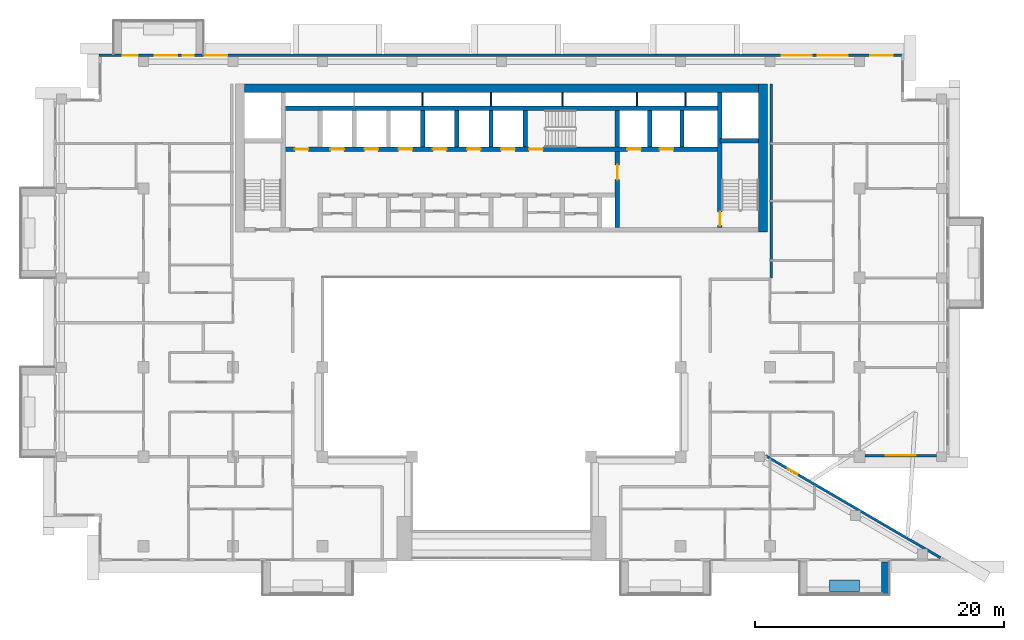
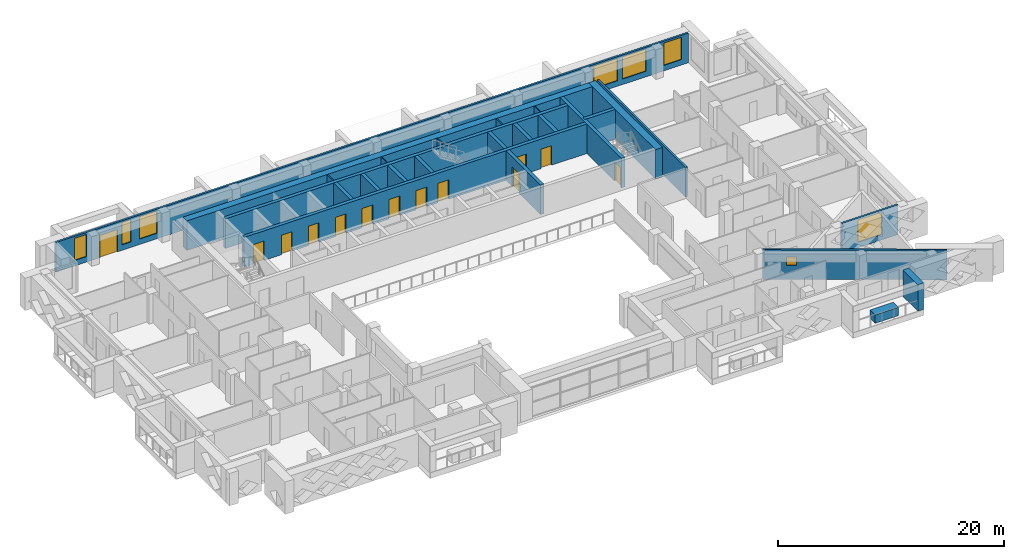
# One storey, part 11 of 20: 25 walls, 13 doors, 8 windows, 21 openings.
"""IFC4 building model written with IfcOpenShell, lengths in metres."""

from ifc_helpers import new_model, si_unit, direction, frame, frame_2d, origin, place, context, subcontext, project, spatial, rectangle, extrude, material, layer, layer_set, type_object, element, fill, save


model = new_model("IFC4")

# Units and contexts
model_context = context("Model", 3, precision=1e-05, world=origin(), true_north=direction((0.0, 1.0)))
body_context = subcontext(model_context, "Body", "Model", "MODEL_VIEW")
ifc_project = project(units=[si_unit("LENGTHUNIT", "METRE"), si_unit("AREAUNIT", "SQUARE_METRE"), si_unit("VOLUMEUNIT", "CUBIC_METRE"), si_unit("PLANEANGLEUNIT", "RADIAN"), si_unit("MASSUNIT", "GRAM", prefix="KILO")], contexts=[model_context])

# Site, building, storey
site_placement = place(None, origin())
site = spatial("IfcSite", under=ifc_project, at=site_placement, CompositionType="ELEMENT")
building_placement = place(site_placement, origin())
building = spatial("IfcBuilding", under=site, at=building_placement, Name="Saffron Iwan Residences", CompositionType="ELEMENT")
storey_placement = place(building_placement, frame((0.0, 0.0, 174.5)))
storey = spatial("IfcBuildingStorey", under=building, at=storey_placement, Name="L46", CompositionType="ELEMENT", Elevation=174.5)

# Walls
ifc_material_1 = material(Name="Concrete C50/60 white painted", Category="concrete")
ifc_layer_1 = layer(ifc_material_1, 0.60009765625)
ifc_layer_set_1 = layer_set([ifc_layer_1], Name="Concrete C50/60 white painted")
wall_type_1 = type_object("IfcWallType", Name="BALCONY FIN 600", PredefinedType="SOLIDWALL", material=ifc_layer_set_1)
wall_1_placement = place(storey_placement, frame((81.300048828125, 39.550048828125, 0.0), z_axis=(0.0, 0.0, 1.0), x_axis=(0.0, -1.0, 0.0)))
element("IfcWall", 1, at=wall_1_placement, inside=storey, type_object=wall_type_1, Name="Balcony fin L46 11-2b", PredefinedType="SOLIDWALL", context=body_context, shape_type="SweptSolid", body=[
    extrude(rectangle(XDim=2.650146484375, YDim=0.60009765625, at=frame_2d((1.3251953125, 0.0))), origin(), (0.0, 0.0, 1.0), 2.85009765625),
])
ifc_material_2 = material(Name="Concrete C35/45 white painted", Category="concrete")
ifc_layer_2 = layer(ifc_material_2, 0.14990234375)
ifc_layer_set_2 = layer_set([ifc_layer_2], Name="Concrete C35/45 white painted")
wall_type_2 = type_object("IfcWallType", Name="BALCONY PLANTER", PredefinedType="SOLIDWALL", material=ifc_layer_set_2)
wall_2_placement = place(storey_placement, frame((76.800048828125, 37.625, 0.0), z_axis=(0.0, 0.0, 1.0), x_axis=(1.0, 0.0, 0.0)))
element("IfcWall", 2, at=wall_2_placement, inside=storey, type_object=wall_type_2, Name="PLANTER L46 11-2", PredefinedType="SOLIDWALL", context=body_context, shape_type="SweptSolid", body=[
    extrude(rectangle(XDim=2.39990234375, YDim=0.89990234375, at=frame_2d((1.199951171875, 0.0))), origin(), (0.0, 0.0, 1.0), 0.89990234375),
])

# Wall, opening, window
ifc_material_3 = material(Name="Concrete C40/50", Category="concrete")
ifc_layer_3 = layer(ifc_material_3, 0.199951171875)
ifc_layer_set_3 = layer_set([ifc_layer_3], Name="Concrete C40/50")
wall_type_3 = type_object("IfcWallType", Name="EXTERNAL WALL 200", PredefinedType="SOLIDWALL", material=ifc_layer_set_3)
wall_3_placement = place(storey_placement, frame((85.71923828125, 39.88134765625, 0.0), z_axis=(0.0, 0.0, 1.0), x_axis=(-0.86377618652, 0.503875678716, 0.0)))
wall_3 = element("IfcWall", 3, at=wall_3_placement, inside=storey, type_object=wall_type_3, Name="External wall L46 F0.0", PredefinedType="SOLIDWALL", context=body_context, shape_type="SweptSolid", body=[
    extrude(rectangle(XDim=16.31103515625, YDim=0.199951171875, at=frame_2d((8.155517578125, 0.0))), origin(), (0.0, 0.0, 1.0), 3.199951171875),
])
opening_1_placement = place(wall_3_placement, frame((13.32568359375, 0.0, 1.5)))
opening_1 = element("IfcOpeningElement", 4, at=opening_1_placement, cuts=wall_3, Name="Opening W6", PredefinedType="OPENING", context=body_context, shape_type="SweptSolid", body=[
    extrude(rectangle(XDim=0.89990234375, YDim=0.89990234375, at=frame_2d((0.449951171875, 0.449951171875))), frame((0.0, 0.10986328125, 0.0), z_axis=(0.0, -1.0, 0.0), x_axis=(1.0, 0.0, 0.0)), (0.0, 0.0, 1.0), 0.219970703125),
])
ifc_material_4 = material(Name="Clear glass, laminated double glazed", Category="glass")
window_type_1 = type_object("IfcWindowType", Name="WINDOW 900 x 900 BATH", PartitioningType="SINGLE_PANEL", PredefinedType="WINDOW", material=ifc_material_4)
window_1_placement = place(opening_1_placement, origin())
window_1 = element("IfcWindow", 5, at=window_1_placement, inside=storey, type_object=window_type_1, Name="Window L46 F0.0", OverallHeight=0.89990234375, OverallWidth=0.89990234375, PartitioningType="SINGLE_PANEL", PredefinedType="WINDOW", context=body_context, shape_type="SweptSolid", body=[
    extrude(rectangle(XDim=0.89990234375, YDim=0.89990234375, at=frame_2d((0.449951171875, 0.449951171875))), frame((0.0, 0.030029296875, 0.0), z_axis=(0.0, -1.0, 0.0), x_axis=(1.0, 0.0, 0.0)), (0.0, 0.0, 1.0), 0.06005859375),
])
fill(opening_1, window_1)

wall_4_placement = place(storey_placement, frame((79.64990234375, 48.10009765625, 0.0), z_axis=(0.0, 0.0, 1.0), x_axis=(1.0, 0.0, 0.0)))
wall_4 = element("IfcWall", 6, at=wall_4_placement, inside=storey, type_object=wall_type_3, Name="External wall L46 F1.1", PredefinedType="SOLIDWALL", context=body_context, shape_type="SweptSolid", body=[
    extrude(rectangle(XDim=5.75, YDim=0.199951171875, at=frame_2d((2.875, 0.0))), origin(), (0.0, 0.0, 1.0), 3.199951171875),
])
opening_2_placement = place(wall_4_placement, frame((1.675048828125, 0.0, 0.60009765625)))
opening_2 = element("IfcOpeningElement", 7, at=opening_2_placement, cuts=wall_4, Name="Opening W1", PredefinedType="OPENING", context=body_context, shape_type="SweptSolid", body=[
    extrude(rectangle(XDim=2.39990234375, YDim=2.39990234375, at=frame_2d((1.199951171875, 1.199951171875))), frame((0.0, 0.10986328125, 0.0), z_axis=(0.0, -1.0, 0.0), x_axis=(1.0, 0.0, 0.0)), (0.0, 0.0, 1.0), 0.219970703125),
])
window_type_2 = type_object("IfcWindowType", Name="WINDOW 2400 x 2400", PartitioningType="DOUBLE_PANEL_VERTICAL", PredefinedType="WINDOW", material=ifc_material_4)
window_2_placement = place(opening_2_placement, origin())
window_2 = element("IfcWindow", 8, at=window_2_placement, inside=storey, type_object=window_type_2, Name="Window L46 F1.0", OverallHeight=2.39990234375, OverallWidth=2.39990234375, PartitioningType="DOUBLE_PANEL_VERTICAL", PredefinedType="WINDOW", context=body_context, shape_type="SweptSolid", body=[
    extrude(rectangle(XDim=2.39990234375, YDim=2.39990234375, at=frame_2d((1.199951171875, 1.199951171875))), frame((0.0, 0.030029296875, 0.0), z_axis=(0.0, -1.0, 0.0), x_axis=(1.0, 0.0, 0.0)), (0.0, 0.0, 1.0), 0.06005859375),
])
fill(opening_2, window_2)

# Wall, openings, door, windows
wall_5_placement = place(storey_placement, frame((82.60009765625, 80.300048828125, 0.0), z_axis=(0.0, 0.0, 1.0), x_axis=(-1.0, 0.0, 0.0)))
wall_5 = element("IfcWall", 9, at=wall_5_placement, inside=storey, type_object=wall_type_3, Name="External wall L46 F5.0", PredefinedType="SOLIDWALL", context=body_context, shape_type="SweptSolid", body=[
    extrude(rectangle(XDim=64.60009765625, YDim=0.199951171875, at=frame_2d((32.300048828125, 0.0))), origin(), (0.0, 0.0, 1.0), 3.199951171875),
])
opening_3_placement = place(wall_5_placement, frame((58.300048828125, 0.0, 0.0)))
opening_3 = element("IfcOpeningElement", 10, at=opening_3_placement, cuts=wall_5, Name="Opening BD1", PredefinedType="OPENING", context=body_context, shape_type="SweptSolid", body=[
    extrude(rectangle(XDim=1.800048828125, YDim=2.39990234375, at=frame_2d((0.89990234375, 1.199951171875))), frame((0.0, 0.10986328125, 0.0), z_axis=(0.0, -1.0, 0.0), x_axis=(1.0, 0.0, 0.0)), (0.0, 0.0, 1.0), 0.219970703125),
])
opening_4_placement = place(wall_5_placement, frame((54.27490234375, 0.0, 0.60009765625)))
opening_4 = element("IfcOpeningElement", 11, at=opening_4_placement, cuts=wall_5, Name="Opening W8", PredefinedType="OPENING", context=body_context, shape_type="SweptSolid", body=[
    extrude(rectangle(XDim=1.800048828125, YDim=2.39990234375, at=frame_2d((0.89990234375, 1.199951171875))), frame((0.0, 0.10986328125, 0.0), z_axis=(0.0, -1.0, 0.0), x_axis=(1.0, 0.0, 0.0)), (0.0, 0.0, 1.0), 0.219970703125),
])
opening_5_placement = place(wall_5_placement, frame((56.949951171875, 0.0, 0.60009765625)))
opening_5 = element("IfcOpeningElement", 12, at=opening_5_placement, cuts=wall_5, Name="Opening W10", PredefinedType="OPENING", context=body_context, shape_type="SweptSolid", body=[
    extrude(rectangle(XDim=0.89990234375, YDim=2.39990234375, at=frame_2d((0.449951171875, 1.199951171875))), frame((0.0, 0.10986328125, 0.0), z_axis=(0.0, -1.0, 0.0), x_axis=(1.0, 0.0, 0.0)), (0.0, 0.0, 1.0), 0.219970703125),
])
opening_6_placement = place(wall_5_placement, frame((61.47509765625, 0.0, 0.60009765625)))
opening_6 = element("IfcOpeningElement", 13, at=opening_6_placement, cuts=wall_5, Name="Opening W3", PredefinedType="OPENING", context=body_context, shape_type="SweptSolid", body=[
    extrude(rectangle(XDim=1.199951171875, YDim=2.39990234375, at=frame_2d((0.60009765625, 1.199951171875))), frame((0.0, 0.10986328125, 0.0), z_axis=(0.0, -1.0, 0.0), x_axis=(1.0, 0.0, 0.0)), (0.0, 0.0, 1.0), 0.219970703125),
])
opening_7_placement = place(wall_5_placement, frame((0.72509765625, 0.0, 0.60009765625)))
opening_7 = element("IfcOpeningElement", 14, at=opening_7_placement, cuts=wall_5, Name="Opening W8", PredefinedType="OPENING", context=body_context, shape_type="SweptSolid", body=[
    extrude(rectangle(XDim=1.800048828125, YDim=2.39990234375, at=frame_2d((0.89990234375, 1.199951171875))), frame((0.0, 0.10986328125, 0.0), z_axis=(0.0, -1.0, 0.0), x_axis=(1.0, 0.0, 0.0)), (0.0, 0.0, 1.0), 0.219970703125),
])
opening_8_placement = place(wall_5_placement, frame((4.35009765625, 0.0, 0.60009765625)))
opening_8 = element("IfcOpeningElement", 15, at=opening_8_placement, cuts=wall_5, Name="Opening W1", PredefinedType="OPENING", context=body_context, shape_type="SweptSolid", body=[
    extrude(rectangle(XDim=2.39990234375, YDim=2.39990234375, at=frame_2d((1.199951171875, 1.199951171875))), frame((0.0, 0.10986328125, 0.0), z_axis=(0.0, -1.0, 0.0), x_axis=(1.0, 0.0, 0.0)), (0.0, 0.0, 1.0), 0.219970703125),
])
opening_9_placement = place(wall_5_placement, frame((7.25, 0.0, 0.60009765625)))
opening_9 = element("IfcOpeningElement", 16, at=opening_9_placement, cuts=wall_5, Name="Opening W1", PredefinedType="OPENING", context=body_context, shape_type="SweptSolid", body=[
    extrude(rectangle(XDim=2.39990234375, YDim=2.39990234375, at=frame_2d((1.199951171875, 1.199951171875))), frame((0.0, 0.10986328125, 0.0), z_axis=(0.0, -1.0, 0.0), x_axis=(1.0, 0.0, 0.0)), (0.0, 0.0, 1.0), 0.219970703125),
])
door_type_1 = type_object("IfcDoorType", Name="BALCONY DOOR 1800 x 2400", OperationType="DOUBLE_DOOR_SLIDING", PredefinedType="DOOR", material=ifc_material_4)
door_1_placement = place(opening_3_placement, origin())
door_1 = element("IfcDoor", 17, at=door_1_placement, inside=storey, type_object=door_type_1, Name="Balcony door L46 F5.0", OperationType="DOUBLE_DOOR_SLIDING", OverallHeight=2.39990234375, OverallWidth=1.800048828125, PredefinedType="DOOR", context=body_context, shape_type="SweptSolid", body=[
    extrude(rectangle(XDim=1.800048828125, YDim=2.39990234375, at=frame_2d((0.89990234375, 1.199951171875))), frame((0.0, 0.02490234375, 0.0), z_axis=(0.0, -1.0, 0.0), x_axis=(1.0, 0.0, 0.0)), (0.0, 0.0, 1.0), 0.050048828125),
])
fill(opening_3, door_1)
window_type_3 = type_object("IfcWindowType", Name="WINDOW 1200 x 2400", PartitioningType="SINGLE_PANEL", PredefinedType="WINDOW", material=ifc_material_4)
window_3_placement = place(opening_6_placement, origin())
window_3 = element("IfcWindow", 18, at=window_3_placement, inside=storey, type_object=window_type_3, Name="Window L46 F5.3", OverallHeight=2.39990234375, OverallWidth=1.199951171875, PartitioningType="SINGLE_PANEL", PredefinedType="WINDOW", context=body_context, shape_type="SweptSolid", body=[
    extrude(rectangle(XDim=1.199951171875, YDim=2.39990234375, at=frame_2d((0.60009765625, 1.199951171875))), frame((0.0, 0.030029296875, 0.0), z_axis=(0.0, -1.0, 0.0), x_axis=(1.0, 0.0, 0.0)), (0.0, 0.0, 1.0), 0.06005859375),
])
fill(opening_6, window_3)
window_type_4 = type_object("IfcWindowType", Name="WINDOW 1800 x 2400", PartitioningType="DOUBLE_PANEL_VERTICAL", PredefinedType="WINDOW", material=ifc_material_4)
window_4_placement = place(opening_4_placement, origin())
window_4 = element("IfcWindow", 19, at=window_4_placement, inside=storey, type_object=window_type_4, Name="Window L46 F5.1", OverallHeight=2.39990234375, OverallWidth=1.800048828125, PartitioningType="DOUBLE_PANEL_VERTICAL", PredefinedType="WINDOW", context=body_context, shape_type="SweptSolid", body=[
    extrude(rectangle(XDim=1.800048828125, YDim=2.39990234375, at=frame_2d((0.89990234375, 1.199951171875))), frame((0.0, 0.030029296875, 0.0), z_axis=(0.0, -1.0, 0.0), x_axis=(1.0, 0.0, 0.0)), (0.0, 0.0, 1.0), 0.06005859375),
])
fill(opening_4, window_4)
window_5_placement = place(opening_7_placement, origin())
window_5 = element("IfcWindow", 20, at=window_5_placement, inside=storey, type_object=window_type_4, Name="Window L46 F5.4", OverallHeight=2.39990234375, OverallWidth=1.800048828125, PartitioningType="DOUBLE_PANEL_VERTICAL", PredefinedType="WINDOW", context=body_context, shape_type="SweptSolid", body=[
    extrude(rectangle(XDim=1.800048828125, YDim=2.39990234375, at=frame_2d((0.89990234375, 1.199951171875))), frame((0.0, 0.030029296875, 0.0), z_axis=(0.0, -1.0, 0.0), x_axis=(1.0, 0.0, 0.0)), (0.0, 0.0, 1.0), 0.06005859375),
])
fill(opening_7, window_5)
window_6_placement = place(opening_8_placement, origin())
window_6 = element("IfcWindow", 21, at=window_6_placement, inside=storey, type_object=window_type_2, Name="Window L46 F5.5", OverallHeight=2.39990234375, OverallWidth=2.39990234375, PartitioningType="DOUBLE_PANEL_VERTICAL", PredefinedType="WINDOW", context=body_context, shape_type="SweptSolid", body=[
    extrude(rectangle(XDim=2.39990234375, YDim=2.39990234375, at=frame_2d((1.199951171875, 1.199951171875))), frame((0.0, 0.030029296875, 0.0), z_axis=(0.0, -1.0, 0.0), x_axis=(1.0, 0.0, 0.0)), (0.0, 0.0, 1.0), 0.06005859375),
])
fill(opening_8, window_6)
window_7_placement = place(opening_9_placement, origin())
window_7 = element("IfcWindow", 22, at=window_7_placement, inside=storey, type_object=window_type_2, Name="Window L46 F5.6", OverallHeight=2.39990234375, OverallWidth=2.39990234375, PartitioningType="DOUBLE_PANEL_VERTICAL", PredefinedType="WINDOW", context=body_context, shape_type="SweptSolid", body=[
    extrude(rectangle(XDim=2.39990234375, YDim=2.39990234375, at=frame_2d((1.199951171875, 1.199951171875))), frame((0.0, 0.030029296875, 0.0), z_axis=(0.0, -1.0, 0.0), x_axis=(1.0, 0.0, 0.0)), (0.0, 0.0, 1.0), 0.06005859375),
])
fill(opening_9, window_7)
window_type_5 = type_object("IfcWindowType", Name="WINDOW 900 x 2400", PartitioningType="SINGLE_PANEL", PredefinedType="WINDOW", material=ifc_material_4)
window_8_placement = place(opening_5_placement, origin())
window_8 = element("IfcWindow", 23, at=window_8_placement, inside=storey, type_object=window_type_5, Name="Window L46 F5.2", OverallHeight=2.39990234375, OverallWidth=0.89990234375, PartitioningType="SINGLE_PANEL", PredefinedType="WINDOW", context=body_context, shape_type="SweptSolid", body=[
    extrude(rectangle(XDim=0.89990234375, YDim=2.39990234375, at=frame_2d((0.449951171875, 1.199951171875))), frame((0.0, 0.030029296875, 0.0), z_axis=(0.0, -1.0, 0.0), x_axis=(1.0, 0.0, 0.0)), (0.0, 0.0, 1.0), 0.06005859375),
])
fill(opening_5, window_8)

# Walls
ifc_material_5 = material(Name="Fire-rated gypsum board wall")
ifc_layer_4 = layer(ifc_material_5, 0.199951171875)
ifc_layer_set_4 = layer_set([ifc_layer_4], Name="Fire-rated gypsum board wall")
wall_type_4 = type_object("IfcWallType", Name="Gallery wall 200", PredefinedType="SOLIDWALL", material=ifc_layer_set_4)
wall_6_placement = place(storey_placement, frame((72.10009765625, 62.39990234375, 0.0), z_axis=(0.0, 0.0, 1.0), x_axis=(0.0, 1.0, 0.0)))
element("IfcWall", 24, at=wall_6_placement, inside=storey, type_object=wall_type_4, Name="W-L46-CORR-v72-62.4", PredefinedType="SOLIDWALL", context=body_context, shape_type="SweptSolid", body=[
    extrude(rectangle(XDim=15.60009765625, YDim=0.199951171875, at=frame_2d((7.800048828125, 0.0))), origin(), (0.0, 0.0, 1.0), 3.199951171875),
])
ifc_material_6 = material(Name="Fire-rated plasterboard partition")
ifc_layer_5 = layer(ifc_material_6, 0.10009765625)
ifc_layer_set_5 = layer_set([ifc_layer_5], Name="Fire-rated plasterboard partition")
wall_type_5 = type_object("IfcWallType", Name="Riser partition 100", PredefinedType="PARTITIONING", material=ifc_layer_set_5)
for number, where, z_axis, x_axis, name in (
    (25, (44.050048828125, 76.22509765625, 0.0), (0.0, 0.0, 1.0), (0.0, 1.0, 0.0), "Core partition P08"),
    (26, (49.550048828125, 76.22509765625, 0.0), (0.0, 0.0, 1.0), (0.0, 1.0, 0.0), "Core partition P09"),
    (27, (55.300048828125, 76.22509765625, 0.0), (0.0, 0.0, 1.0), (0.0, 1.0, 0.0), "Core partition P10"),
    (28, (61.300048828125, 76.22509765625, 0.0), (0.0, 0.0, 1.0), (0.0, 1.0, 0.0), "Core partition P11"),
    (29, (65.199951171875, 76.22509765625, 0.0), (0.0, 0.0, 1.0), (0.0, 1.0, 0.0), "Core partition P12"),
):
    element("IfcWall", number, at=place(storey_placement, frame(where, z_axis=z_axis, x_axis=x_axis)), inside=storey, type_object=wall_type_5, Name=name, PredefinedType="PARTITIONING", context=body_context, shape_type="SweptSolid", body=[
        extrude(rectangle(XDim=1.074951171875, YDim=0.10009765625, at=frame_2d((0.53759765625, 0.0))), origin(), (0.0, 0.0, 1.0), 3.199951171875),
    ])

# Wall, openings, doors
ifc_material_7 = material(Name="Concrete C50/60", Category="concrete")
ifc_layer_6 = layer(ifc_material_7, 0.35009765625)
ifc_layer_set_6 = layer_set([ifc_layer_6], Name="Concrete C50/60")
wall_type_6 = type_object("IfcWallType", Name="WALL CORE 350 C50/60 3200 HIGH", PredefinedType="SHEAR", material=ifc_layer_set_6)
wall_7_placement = place(storey_placement, frame((32.824951171875, 72.75, 0.0), z_axis=(0.0, 0.0, 1.0), x_axis=(1.0, 0.0, 0.0)))
wall_7 = element("IfcWall", 30, at=wall_7_placement, inside=storey, type_object=wall_type_6, Name="Core wall", PredefinedType="SHEAR", context=body_context, shape_type="SweptSolid", body=[
    extrude(rectangle(XDim=35.150146484375, YDim=0.35009765625, at=frame_2d((17.5751953125, 0.0))), origin(), (0.0, 0.0, 1.0), 3.199951171875),
])
opening_10_placement = place(wall_7_placement, frame((19.800048828125, 0.0, 0.0)))
opening_10 = element("IfcOpeningElement", 31, at=opening_10_placement, cuts=wall_7, Name="Opening SD", PredefinedType="OPENING", context=body_context, shape_type="SweptSolid", body=[
    extrude(rectangle(XDim=1.10009765625, YDim=2.10009765625, at=frame_2d((0.550048828125, 1.050048828125))), frame((0.0, 0.18505859375, 0.0), z_axis=(0.0, -1.0, 0.0), x_axis=(1.0, 0.0, 0.0)), (0.0, 0.0, 1.0), 0.3701171875),
])
opening_11_placement = place(wall_7_placement, frame((27.699951171875, 0.0, 0.0)))
opening_11 = element("IfcOpeningElement", 32, at=opening_11_placement, cuts=wall_7, Name="Opening LD", PredefinedType="OPENING", context=body_context, shape_type="SweptSolid", body=[
    extrude(rectangle(XDim=1.10009765625, YDim=2.10009765625, at=frame_2d((0.550048828125, 1.050048828125))), frame((0.0, 0.18505859375, 0.0), z_axis=(0.0, -1.0, 0.0), x_axis=(1.0, 0.0, 0.0)), (0.0, 0.0, 1.0), 0.3701171875),
])
opening_12_placement = place(wall_7_placement, frame((30.300048828125, 0.0, 0.0)))
opening_12 = element("IfcOpeningElement", 33, at=opening_12_placement, cuts=wall_7, Name="Opening LD", PredefinedType="OPENING", context=body_context, shape_type="SweptSolid", body=[
    extrude(rectangle(XDim=1.10009765625, YDim=2.10009765625, at=frame_2d((0.550048828125, 1.050048828125))), frame((0.0, 0.18505859375, 0.0), z_axis=(0.0, -1.0, 0.0), x_axis=(1.0, 0.0, 0.0)), (0.0, 0.0, 1.0), 0.3701171875),
])
opening_13_placement = place(wall_7_placement, frame((3.800048828125, 0.0, 0.0)))
opening_13 = element("IfcOpeningElement", 34, at=opening_13_placement, cuts=wall_7, Name="Opening LD", PredefinedType="OPENING", context=body_context, shape_type="SweptSolid", body=[
    extrude(rectangle(XDim=1.10009765625, YDim=2.10009765625, at=frame_2d((0.550048828125, 1.050048828125))), frame((0.0, 0.18505859375, 0.0), z_axis=(0.0, -1.0, 0.0), x_axis=(1.0, 0.0, 0.0)), (0.0, 0.0, 1.0), 0.3701171875),
])
opening_14_placement = place(wall_7_placement, frame((6.550048828125, 0.0, 0.0)))
opening_14 = element("IfcOpeningElement", 35, at=opening_14_placement, cuts=wall_7, Name="Opening LD", PredefinedType="OPENING", context=body_context, shape_type="SweptSolid", body=[
    extrude(rectangle(XDim=1.10009765625, YDim=2.10009765625, at=frame_2d((0.550048828125, 1.050048828125))), frame((0.0, 0.18505859375, 0.0), z_axis=(0.0, -1.0, 0.0), x_axis=(1.0, 0.0, 0.0)), (0.0, 0.0, 1.0), 0.3701171875),
])
opening_15_placement = place(wall_7_placement, frame((9.300048828125, 0.0, 0.0)))
opening_15 = element("IfcOpeningElement", 36, at=opening_15_placement, cuts=wall_7, Name="Opening LD", PredefinedType="OPENING", context=body_context, shape_type="SweptSolid", body=[
    extrude(rectangle(XDim=1.10009765625, YDim=2.10009765625, at=frame_2d((0.550048828125, 1.050048828125))), frame((0.0, 0.18505859375, 0.0), z_axis=(0.0, -1.0, 0.0), x_axis=(1.0, 0.0, 0.0)), (0.0, 0.0, 1.0), 0.3701171875),
])
opening_16_placement = place(wall_7_placement, frame((12.050048828125, 0.0, 0.0)))
opening_16 = element("IfcOpeningElement", 37, at=opening_16_placement, cuts=wall_7, Name="Opening LD", PredefinedType="OPENING", context=body_context, shape_type="SweptSolid", body=[
    extrude(rectangle(XDim=1.10009765625, YDim=2.10009765625, at=frame_2d((0.550048828125, 1.050048828125))), frame((0.0, 0.18505859375, 0.0), z_axis=(0.0, -1.0, 0.0), x_axis=(1.0, 0.0, 0.0)), (0.0, 0.0, 1.0), 0.3701171875),
])
opening_17_placement = place(wall_7_placement, frame((14.800048828125, 0.0, 0.0)))
opening_17 = element("IfcOpeningElement", 38, at=opening_17_placement, cuts=wall_7, Name="Opening LD", PredefinedType="OPENING", context=body_context, shape_type="SweptSolid", body=[
    extrude(rectangle(XDim=1.10009765625, YDim=2.10009765625, at=frame_2d((0.550048828125, 1.050048828125))), frame((0.0, 0.18505859375, 0.0), z_axis=(0.0, -1.0, 0.0), x_axis=(1.0, 0.0, 0.0)), (0.0, 0.0, 1.0), 0.3701171875),
])
opening_18_placement = place(wall_7_placement, frame((17.550048828125, 0.0, 0.0)))
opening_18 = element("IfcOpeningElement", 39, at=opening_18_placement, cuts=wall_7, Name="Opening LD", PredefinedType="OPENING", context=body_context, shape_type="SweptSolid", body=[
    extrude(rectangle(XDim=1.10009765625, YDim=2.10009765625, at=frame_2d((0.550048828125, 1.050048828125))), frame((0.0, 0.18505859375, 0.0), z_axis=(0.0, -1.0, 0.0), x_axis=(1.0, 0.0, 0.0)), (0.0, 0.0, 1.0), 0.3701171875),
])
opening_19_placement = place(wall_7_placement, frame((0.9375, 0.0, 0.0)))
opening_19 = element("IfcOpeningElement", 40, at=opening_19_placement, cuts=wall_7, Name="Opening SR", PredefinedType="OPENING", context=body_context, shape_type="SweptSolid", body=[
    extrude(rectangle(XDim=1.10009765625, YDim=2.10009765625, at=frame_2d((0.550048828125, 1.050048828125))), frame((0.0, 0.18505859375, 0.0), z_axis=(0.0, -1.0, 0.0), x_axis=(1.0, 0.0, 0.0)), (0.0, 0.0, 1.0), 0.3701171875),
])
ifc_material_8 = material(Name="Steel fire door", Category="steel")
door_type_2 = type_object("IfcDoorType", Name="Lift landing door 1100", OperationType="SLIDING_TO_LEFT", PredefinedType="DOOR", material=ifc_material_8)
door_2_placement = place(opening_11_placement, origin())
door_2 = element("IfcDoor", 41, at=door_2_placement, inside=storey, type_object=door_type_2, Name="Landing doors FF1", OperationType="SLIDING_TO_LEFT", OverallHeight=2.10009765625, OverallWidth=1.10009765625, PredefinedType="DOOR", context=body_context, shape_type="SweptSolid", body=[
    extrude(rectangle(XDim=1.10009765625, YDim=2.10009765625, at=frame_2d((0.550048828125, 1.050048828125))), frame((0.0, 0.02490234375, 0.0), z_axis=(0.0, -1.0, 0.0), x_axis=(1.0, 0.0, 0.0)), (0.0, 0.0, 1.0), 0.050048828125),
])
fill(opening_11, door_2)
door_3_placement = place(opening_12_placement, origin())
door_3 = element("IfcDoor", 42, at=door_3_placement, inside=storey, type_object=door_type_2, Name="Landing doors FF2", OperationType="SLIDING_TO_LEFT", OverallHeight=2.10009765625, OverallWidth=1.10009765625, PredefinedType="DOOR", context=body_context, shape_type="SweptSolid", body=[
    extrude(rectangle(XDim=1.10009765625, YDim=2.10009765625, at=frame_2d((0.550048828125, 1.050048828125))), frame((0.0, 0.02490234375, 0.0), z_axis=(0.0, -1.0, 0.0), x_axis=(1.0, 0.0, 0.0)), (0.0, 0.0, 1.0), 0.050048828125),
])
fill(opening_12, door_3)
door_4_placement = place(opening_13_placement, origin())
door_4 = element("IfcDoor", 43, at=door_4_placement, inside=storey, type_object=door_type_2, Name="Landing doors HR1", OperationType="SLIDING_TO_LEFT", OverallHeight=2.10009765625, OverallWidth=1.10009765625, PredefinedType="DOOR", context=body_context, shape_type="SweptSolid", body=[
    extrude(rectangle(XDim=1.10009765625, YDim=2.10009765625, at=frame_2d((0.550048828125, 1.050048828125))), frame((0.0, 0.02490234375, 0.0), z_axis=(0.0, -1.0, 0.0), x_axis=(1.0, 0.0, 0.0)), (0.0, 0.0, 1.0), 0.050048828125),
])
fill(opening_13, door_4)
door_5_placement = place(opening_14_placement, origin())
door_5 = element("IfcDoor", 44, at=door_5_placement, inside=storey, type_object=door_type_2, Name="Landing doors HR2", OperationType="SLIDING_TO_LEFT", OverallHeight=2.10009765625, OverallWidth=1.10009765625, PredefinedType="DOOR", context=body_context, shape_type="SweptSolid", body=[
    extrude(rectangle(XDim=1.10009765625, YDim=2.10009765625, at=frame_2d((0.550048828125, 1.050048828125))), frame((0.0, 0.02490234375, 0.0), z_axis=(0.0, -1.0, 0.0), x_axis=(1.0, 0.0, 0.0)), (0.0, 0.0, 1.0), 0.050048828125),
])
fill(opening_14, door_5)
door_6_placement = place(opening_15_placement, origin())
door_6 = element("IfcDoor", 45, at=door_6_placement, inside=storey, type_object=door_type_2, Name="Landing doors HR3", OperationType="SLIDING_TO_LEFT", OverallHeight=2.10009765625, OverallWidth=1.10009765625, PredefinedType="DOOR", context=body_context, shape_type="SweptSolid", body=[
    extrude(rectangle(XDim=1.10009765625, YDim=2.10009765625, at=frame_2d((0.550048828125, 1.050048828125))), frame((0.0, 0.02490234375, 0.0), z_axis=(0.0, -1.0, 0.0), x_axis=(1.0, 0.0, 0.0)), (0.0, 0.0, 1.0), 0.050048828125),
])
fill(opening_15, door_6)
door_7_placement = place(opening_16_placement, origin())
door_7 = element("IfcDoor", 46, at=door_7_placement, inside=storey, type_object=door_type_2, Name="Landing doors HR4", OperationType="SLIDING_TO_LEFT", OverallHeight=2.10009765625, OverallWidth=1.10009765625, PredefinedType="DOOR", context=body_context, shape_type="SweptSolid", body=[
    extrude(rectangle(XDim=1.10009765625, YDim=2.10009765625, at=frame_2d((0.550048828125, 1.050048828125))), frame((0.0, 0.02490234375, 0.0), z_axis=(0.0, -1.0, 0.0), x_axis=(1.0, 0.0, 0.0)), (0.0, 0.0, 1.0), 0.050048828125),
])
fill(opening_16, door_7)
door_8_placement = place(opening_17_placement, origin())
door_8 = element("IfcDoor", 47, at=door_8_placement, inside=storey, type_object=door_type_2, Name="Landing doors HR5", OperationType="SLIDING_TO_LEFT", OverallHeight=2.10009765625, OverallWidth=1.10009765625, PredefinedType="DOOR", context=body_context, shape_type="SweptSolid", body=[
    extrude(rectangle(XDim=1.10009765625, YDim=2.10009765625, at=frame_2d((0.550048828125, 1.050048828125))), frame((0.0, 0.02490234375, 0.0), z_axis=(0.0, -1.0, 0.0), x_axis=(1.0, 0.0, 0.0)), (0.0, 0.0, 1.0), 0.050048828125),
])
fill(opening_17, door_8)
door_9_placement = place(opening_18_placement, origin())
door_9 = element("IfcDoor", 48, at=door_9_placement, inside=storey, type_object=door_type_2, Name="Landing doors HR6", OperationType="SLIDING_TO_LEFT", OverallHeight=2.10009765625, OverallWidth=1.10009765625, PredefinedType="DOOR", context=body_context, shape_type="SweptSolid", body=[
    extrude(rectangle(XDim=1.10009765625, YDim=2.10009765625, at=frame_2d((0.550048828125, 1.050048828125))), frame((0.0, 0.02490234375, 0.0), z_axis=(0.0, -1.0, 0.0), x_axis=(1.0, 0.0, 0.0)), (0.0, 0.0, 1.0), 0.050048828125),
])
fill(opening_18, door_9)
door_type_3 = type_object("IfcDoorType", Name="Service door 1100", OperationType="NOTDEFINED", PredefinedType="DOOR", material=ifc_material_8)
door_10_placement = place(opening_19_placement, origin())
door_10 = element("IfcDoor", 49, at=door_10_placement, inside=storey, type_object=door_type_3, Name="Door Storage room", OperationType="SINGLE_SWING_LEFT", OverallHeight=2.10009765625, OverallWidth=1.10009765625, PredefinedType="DOOR", context=body_context, shape_type="SweptSolid", body=[
    extrude(rectangle(XDim=1.10009765625, YDim=2.10009765625, at=frame_2d((0.550048828125, 1.050048828125))), frame((0.0, 0.02490234375, 0.0), z_axis=(0.0, -1.0, 0.0), x_axis=(1.0, 0.0, 0.0)), (0.0, 0.0, 1.0), 0.050048828125),
])
fill(opening_19, door_10)
door_type_4 = type_object("IfcDoorType", Name="Stair door 1100", OperationType="NOTDEFINED", PredefinedType="DOOR", material=ifc_material_8)
door_11_placement = place(opening_10_placement, origin())
door_11 = element("IfcDoor", 50, at=door_11_placement, inside=storey, type_object=door_type_4, Name="Stair door ST-C", OperationType="SINGLE_SWING_LEFT", OverallHeight=2.10009765625, OverallWidth=1.10009765625, PredefinedType="DOOR", context=body_context, shape_type="SweptSolid", body=[
    extrude(rectangle(XDim=1.10009765625, YDim=2.10009765625, at=frame_2d((0.550048828125, 1.050048828125))), frame((0.0, 0.02490234375, 0.0), z_axis=(0.0, -1.0, 0.0), x_axis=(1.0, 0.0, 0.0)), (0.0, 0.0, 1.0), 0.050048828125),
])
fill(opening_10, door_11)

# Walls
wall_8_placement = place(storey_placement, frame((32.824951171875, 76.050048828125, 0.0), z_axis=(0.0, 0.0, 1.0), x_axis=(1.0, 0.0, 0.0)))
element("IfcWall", 51, at=wall_8_placement, inside=storey, type_object=wall_type_6, Name="Core wall", PredefinedType="SHEAR", context=body_context, shape_type="SweptSolid", body=[
    extrude(rectangle(XDim=35.150146484375, YDim=0.35009765625, at=frame_2d((17.5751953125, 0.0))), origin(), (0.0, 0.0, 1.0), 3.199951171875),
])
wall_9_placement = place(storey_placement, frame((67.97509765625, 73.425048828125, 0.0), z_axis=(0.0, 0.0, 1.0), x_axis=(1.0, 0.0, 0.0)))
element("IfcWall", 52, at=wall_9_placement, inside=storey, type_object=wall_type_6, Name="Core wall", PredefinedType="SHEAR", context=body_context, shape_type="SweptSolid", body=[
    extrude(rectangle(XDim=3.125, YDim=0.35009765625, at=frame_2d((1.5625, 0.0))), origin(), (0.0, 0.0, 1.0), 3.199951171875),
])

# Wall, opening, door
wall_10_placement = place(storey_placement, frame((67.97509765625, 66.449951171875, 0.0), z_axis=(0.0, 0.0, 1.0), x_axis=(0.0, 1.0, 0.0)))
wall_10 = element("IfcWall", 53, at=wall_10_placement, inside=storey, type_object=wall_type_6, Name="Core wall", PredefinedType="SHEAR", context=body_context, shape_type="SweptSolid", body=[
    extrude(rectangle(XDim=10.85009765625, YDim=0.35009765625, at=frame_2d((5.425048828125, 0.0))), origin(), (0.0, 0.0, 1.0), 3.199951171875),
])
opening_20_placement = place(wall_10_placement, frame((0.14990234375, 0.0, 0.0)))
opening_20 = element("IfcOpeningElement", 54, at=opening_20_placement, cuts=wall_10, Name="Opening SD", PredefinedType="OPENING", context=body_context, shape_type="SweptSolid", body=[
    extrude(rectangle(XDim=1.10009765625, YDim=2.10009765625, at=frame_2d((0.550048828125, 1.050048828125))), frame((0.0, 0.18505859375, 0.0), z_axis=(0.0, -1.0, 0.0), x_axis=(1.0, 0.0, 0.0)), (0.0, 0.0, 1.0), 0.3701171875),
])
door_12_placement = place(opening_20_placement, origin())
door_12 = element("IfcDoor", 55, at=door_12_placement, inside=storey, type_object=door_type_4, Name="Stair door ST-E", OperationType="SINGLE_SWING_LEFT", OverallHeight=2.10009765625, OverallWidth=1.10009765625, PredefinedType="DOOR", context=body_context, shape_type="SweptSolid", body=[
    extrude(rectangle(XDim=1.10009765625, YDim=2.10009765625, at=frame_2d((0.550048828125, 1.050048828125))), frame((0.0, 0.02490234375, 0.0), z_axis=(0.0, -1.0, 0.0), x_axis=(1.0, 0.0, 0.0)), (0.0, 0.0, 1.0), 0.050048828125),
])
fill(opening_20, door_12)

wall_11_placement = place(storey_placement, frame((59.72509765625, 66.449951171875, 0.0), z_axis=(0.0, 0.0, 1.0), x_axis=(0.0, 1.0, 0.0)))
wall_11 = element("IfcWall", 56, at=wall_11_placement, inside=storey, type_object=wall_type_6, Name="Core wall", PredefinedType="SHEAR", context=body_context, shape_type="SweptSolid", body=[
    extrude(rectangle(XDim=6.125, YDim=0.35009765625, at=frame_2d((3.0625, 0.0))), origin(), (0.0, 0.0, 1.0), 3.199951171875),
])
opening_21_placement = place(wall_11_placement, frame((3.85009765625, 0.0, 0.0)))
opening_21 = element("IfcOpeningElement", 57, at=opening_21_placement, cuts=wall_11, Name="Opening FD", PredefinedType="OPENING", context=body_context, shape_type="SweptSolid", body=[
    extrude(rectangle(XDim=1.199951171875, YDim=2.10009765625, at=frame_2d((0.60009765625, 1.050048828125))), frame((0.0, 0.18505859375, 0.0), z_axis=(0.0, -1.0, 0.0), x_axis=(1.0, 0.0, 0.0)), (0.0, 0.0, 1.0), 0.3701171875),
])
door_type_5 = type_object("IfcDoorType", Name="Firefighting lobby door 1200", OperationType="NOTDEFINED", PredefinedType="DOOR", material=ifc_material_8)
door_13_placement = place(opening_21_placement, origin())
door_13 = element("IfcDoor", 58, at=door_13_placement, inside=storey, type_object=door_type_5, Name="Firefighting lobby door", OperationType="SINGLE_SWING_LEFT", OverallHeight=2.10009765625, OverallWidth=1.199951171875, PredefinedType="DOOR", context=body_context, shape_type="SweptSolid", body=[
    extrude(rectangle(XDim=1.199951171875, YDim=2.10009765625, at=frame_2d((0.60009765625, 1.050048828125))), frame((0.0, 0.02490234375, 0.0), z_axis=(0.0, -1.0, 0.0), x_axis=(1.0, 0.0, 0.0)), (0.0, 0.0, 1.0), 0.050048828125),
])
fill(opening_21, door_13)

# Walls
for number, where, z_axis, x_axis, name in (
    (59, (59.72509765625, 72.925048828125, 0.0), (0.0, 0.0, 1.0), (0.0, 1.0, 0.0), "Core wall"),
    (60, (44.050048828125, 72.925048828125, 0.0), (0.0, 0.0, 1.0), (0.0, 1.0, 0.0), "Core wall"),
    (61, (46.800048828125, 72.925048828125, 0.0), (0.0, 0.0, 1.0), (0.0, 1.0, 0.0), "Core wall"),
    (62, (49.550048828125, 72.925048828125, 0.0), (0.0, 0.0, 1.0), (0.0, 1.0, 0.0), "Core wall"),
    (63, (52.300048828125, 72.925048828125, 0.0), (0.0, 0.0, 1.0), (0.0, 1.0, 0.0), "Core wall"),
    (64, (62.324951171875, 72.925048828125, 0.0), (0.0, 0.0, 1.0), (0.0, 1.0, 0.0), "Core wall"),
    (65, (64.925048828125, 72.925048828125, 0.0), (0.0, 0.0, 1.0), (0.0, 1.0, 0.0), "Core wall"),
):
    element("IfcWall", number, at=place(storey_placement, frame(where, z_axis=z_axis, x_axis=x_axis)), inside=storey, type_object=wall_type_6, Name=name, PredefinedType="SHEAR", context=body_context, shape_type="SweptSolid", body=[
        extrude(rectangle(XDim=2.949951171875, YDim=0.35009765625, at=frame_2d((1.47509765625, 0.0))), origin(), (0.0, 0.0, 1.0), 3.199951171875),
    ])
ifc_layer_7 = layer(ifc_material_7, 0.699951171875)
ifc_layer_set_7 = layer_set([ifc_layer_7], Name="Concrete C50/60")
wall_type_7 = type_object("IfcWallType", Name="WALL CORE 700 C50/60 3200 HIGH", PredefinedType="SHEAR", material=ifc_layer_set_7)
wall_12_placement = place(storey_placement, frame((71.449951171875, 66.10009765625, 0.0), z_axis=(0.0, 0.0, 1.0), x_axis=(0.0, 1.0, 0.0)))
element("IfcWall", 66, at=wall_12_placement, inside=storey, type_object=wall_type_7, Name="Core wall", PredefinedType="SHEAR", context=body_context, shape_type="SweptSolid", body=[
    extrude(rectangle(XDim=11.89990234375, YDim=0.699951171875, at=frame_2d((5.949951171875, 0.0))), origin(), (0.0, 0.0, 1.0), 3.199951171875),
])
wall_13_placement = place(storey_placement, frame((29.699951171875, 77.64990234375, 0.0), z_axis=(0.0, 0.0, 1.0), x_axis=(1.0, 0.0, 0.0)))
element("IfcWall", 67, at=wall_13_placement, inside=storey, type_object=wall_type_7, Name="Core wall", PredefinedType="SHEAR", context=body_context, shape_type="SweptSolid", body=[
    extrude(rectangle(XDim=41.400146484375, YDim=0.699951171875, at=frame_2d((20.7001953125, 0.0))), origin(), (0.0, 0.0, 1.0), 3.199951171875),
])

save(model, "model.ifc")
